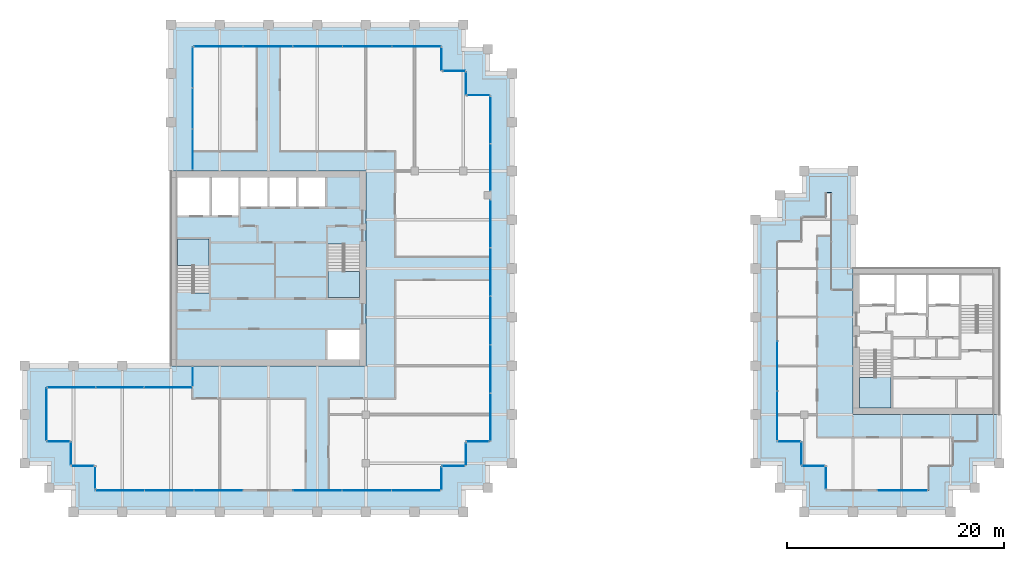
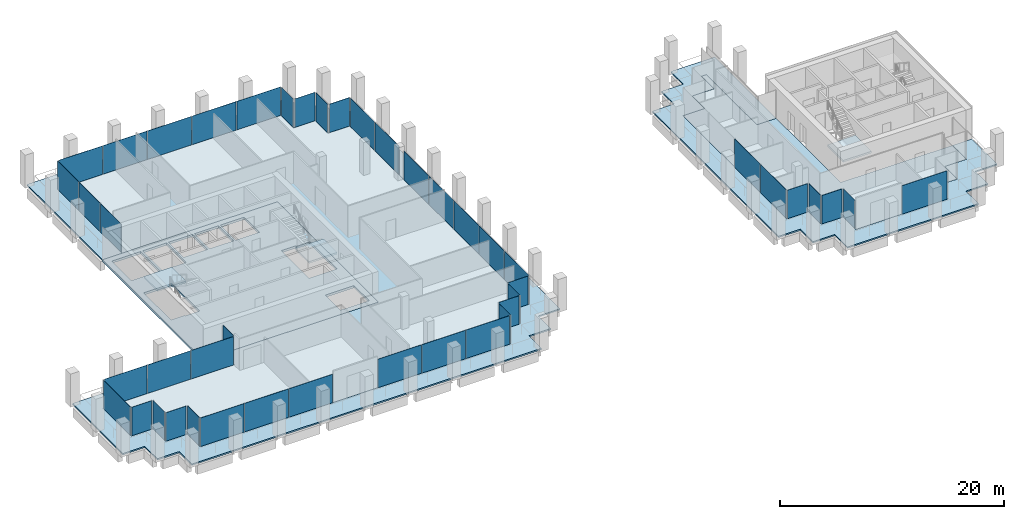
# One storey, part 34 of 40: 45 plates, 8 slabs, 30 elements without a shape of their own.
"""IFC4 building model written with IfcOpenShell, lengths in metres."""

from ifc_helpers import new_model, si_unit, direction, frame, origin, origin_2d, place, context, subcontext, project, spatial, polyline, rectangle, outline, extrude, material, layer, layer_set, type_object, element, aggregate, save


model = new_model("IFC4")

# Units and contexts
model_context = context("Model", 3, precision=1e-05, world=origin(), true_north=direction((0.0, 1.0)))
body_context = subcontext(model_context, "Body", "Model", "MODEL_VIEW")
ifc_project = project(units=[si_unit("LENGTHUNIT", "METRE"), si_unit("AREAUNIT", "SQUARE_METRE"), si_unit("VOLUMEUNIT", "CUBIC_METRE"), si_unit("PLANEANGLEUNIT", "RADIAN"), si_unit("MASSUNIT", "GRAM", prefix="KILO")], contexts=[model_context])

# Site, building, storey
site_placement = place(None, origin())
site = spatial("IfcSite", under=ifc_project, at=site_placement, CompositionType="ELEMENT")
building_placement = place(site_placement, origin())
building = spatial("IfcBuilding", under=site, at=building_placement, Name="Altepetl Exchange Towers", CompositionType="ELEMENT")
storey_placement = place(building_placement, frame((0.0, 0.0, 183.39990234375)))
storey = spatial("IfcBuildingStorey", under=building, at=storey_placement, Name="L46", CompositionType="ELEMENT", Elevation=183.39990234375)

# Slabs
ifc_material_1 = material(Name="Concrete C40/50", Category="concrete")
ifc_layer_1 = layer(ifc_material_1, 0.14990234375)
ifc_layer_set_1 = layer_set([ifc_layer_1], Name="Concrete C40/50")
slab_type_1 = type_object("IfcSlabType", Name="Composite floor slab 150", PredefinedType="FLOOR", material=ifc_layer_set_1)
slab_1_placement = place(storey_placement, frame((0.0, 0.0, -0.14990234375)))
element("IfcSlab", 1, at=slab_1_placement, inside=storey, type_object=slab_type_1, Name="slab:A:L46:strip0", PredefinedType="FLOOR", context=body_context, shape_type="SweptSolid", body=[
    extrude(outline(polyline([(42.5, 70.0), (42.5, 58.5), (58.5, 58.5), (58.5, 40.5), (42.5, 40.5), (42.5, 38.5), (29.0, 38.5), (29.0, 33.5), (31.25, 33.5), (31.25, 31.25), (33.5, 31.25), (33.5, 29.0), (65.5, 29.0), (65.5, 31.25), (67.75, 31.25), (67.75, 33.5), (70.0, 33.5), (70.0, 65.5), (67.75, 65.5), (67.75, 67.75), (65.5, 67.75), (65.5, 70.0), (42.5, 70.0)])), origin(), (0.0, 0.0, 1.0), 0.14990234375),
])
slab_2_placement = place(storey_placement, frame((0.0, 0.0, -0.14990234375)))
element("IfcSlab", 2, at=slab_2_placement, inside=storey, type_object=slab_type_1, Name="slab:B:L46:strip0", PredefinedType="FLOOR", context=body_context, shape_type="SweptSolid", body=[
    extrude(outline(polyline([(98.75, 31.25), (101.0, 31.25), (101.0, 29.0), (110.5, 29.0), (110.5, 31.25), (112.75, 31.25), (112.75, 33.5), (115.0, 33.5), (115.0, 36.0), (103.5, 36.0), (103.5, 47.5), (101.5, 47.5), (101.5, 56.5), (101.0, 56.5), (101.0, 54.25), (98.75, 54.25), (98.75, 52.0), (96.5, 52.0), (96.5, 33.5), (98.75, 33.5), (98.75, 31.25)])), origin(), (0.0, 0.0, 1.0), 0.14990234375),
])
ifc_layer_2 = layer(ifc_material_1, 0.25)
ifc_layer_set_2 = layer_set([ifc_layer_2], Name="Concrete C40/50")
slab_type_2 = type_object("IfcSlabType", Name="Core floor slab 250", PredefinedType="FLOOR", material=ifc_layer_set_2)
slab_3_placement = place(storey_placement, frame((0.0, 0.0, -0.25)))
element("IfcSlab", 3, at=slab_3_placement, inside=storey, type_object=slab_type_2, Name="slab:A:L46:core0", PredefinedType="FLOOR", context=body_context, shape_type="SweptSolid", body=[
    extrude(outline(polyline([(40.5, 40.5), (58.5, 40.5), (58.5, 58.5), (40.5, 58.5), (40.5, 40.5)]), holes=[polyline([(54.93310546875, 43.800048828125), (57.89990234375, 43.800048828125), (57.89990234375, 41.10009765625), (54.93310546875, 41.10009765625), (54.93310546875, 43.800048828125)]), polyline([(55.0, 51.7490234375), (56.5, 51.7490234375), (56.5, 51.64990234375), (57.89990234375, 51.64990234375), (57.89990234375, 46.800048828125), (55.0, 46.800048828125), (55.0, 51.7490234375)]), polyline([(44.0, 47.2509765625), (42.5, 47.2509765625), (42.5, 47.35009765625), (41.10009765625, 47.35009765625), (41.10009765625, 52.199951171875), (44.0, 52.199951171875), (44.0, 47.2509765625)]), polyline([(41.10009765625, 57.89990234375), (44.06689453125, 57.89990234375), (44.06689453125, 54.39990234375), (41.10009765625, 54.39990234375), (41.10009765625, 57.89990234375)]), polyline([(44.26708984375, 57.89990234375), (46.73291015625, 57.89990234375), (46.73291015625, 54.39990234375), (44.26708984375, 54.39990234375), (44.26708984375, 57.89990234375)]), polyline([(46.93310546875, 57.89990234375), (49.39990234375, 57.89990234375), (49.39990234375, 55.199951171875), (46.93310546875, 55.199951171875), (46.93310546875, 57.89990234375)]), polyline([(49.60009765625, 57.89990234375), (52.06689453125, 57.89990234375), (52.06689453125, 55.199951171875), (49.60009765625, 55.199951171875), (49.60009765625, 57.89990234375)]), polyline([(52.26708984375, 57.89990234375), (54.73291015625, 57.89990234375), (54.73291015625, 55.199951171875), (52.26708984375, 55.199951171875), (52.26708984375, 57.89990234375)])]), origin(), (0.0, 0.0, 1.0), 0.25),
])

# Curtain wall, plate
ifc_material_2 = material(Name="Aluminium 6063-T6 glazing", Category="aluminium")
curtain_wall_type = type_object("IfcCurtainWallType", Name="Loggia glazing system", PredefinedType="NOTDEFINED", material=ifc_material_2)
curtain_wall_1_placement = place(storey_placement, origin())
curtain_wall_1 = element("IfcCurtainWall", 4, at=curtain_wall_1_placement, inside=storey, type_object=curtain_wall_type, Name="CW1 run", PredefinedType="NOTDEFINED")
ifc_material_3 = material(Name="Glass 6-16-6 low emissivity", Category="glass")
ifc_layer_3 = layer(ifc_material_3, 0.028076171875)
ifc_layer_set_3 = layer_set([ifc_layer_3], Name="Glass 6-16-6 low emissivity")
plate_type = type_object("IfcPlateType", Name="Glass panel 28 double glazed", PredefinedType="CURTAIN_PANEL", material=ifc_layer_set_3)
plate_1_placement = place(storey_placement, frame((42.5, 39.53759765625, 0.0), z_axis=(0.0, 0.0, 1.0), x_axis=(0.0, -1.0, 0.0)))
plate_1 = element("IfcPlate", 5, at=plate_1_placement, type_object=plate_type, Name="GP1 panel", PredefinedType="CURTAIN_PANEL", context=body_context, shape_type="SweptSolid", body=[
    extrude(rectangle(XDim=1.804931640625, YDim=0.028076171875, at=origin_2d()), origin(), (0.0, 0.0, 1.0), 3.10009765625),
])
aggregate(curtain_wall_1, [plate_1])

# Curtain wall, plates
curtain_wall_2_placement = place(storey_placement, origin())
curtain_wall_2 = element("IfcCurtainWall", 6, at=curtain_wall_2_placement, inside=storey, type_object=curtain_wall_type, Name="CW1 run", PredefinedType="NOTDEFINED")
plate_2_placement = place(storey_placement, frame((40.24755859375, 38.5, 0.0), z_axis=(0.0, 0.0, 1.0), x_axis=(-1.0, 0.0, 0.0)))
plate_2 = element("IfcPlate", 7, at=plate_2_placement, type_object=plate_type, Name="GP1 panel", PredefinedType="CURTAIN_PANEL", context=body_context, shape_type="SweptSolid", body=[
    extrude(rectangle(XDim=4.385009765625, YDim=0.028076171875, at=origin_2d()), origin(), (0.0, 0.0, 1.0), 3.10009765625),
])
plate_3_placement = place(storey_placement, frame((35.78759765625, 38.5, 0.0), z_axis=(0.0, 0.0, 1.0), x_axis=(-1.0, 0.0, 0.0)))
plate_3 = element("IfcPlate", 8, at=plate_3_placement, type_object=plate_type, Name="GP1 panel", PredefinedType="CURTAIN_PANEL", context=body_context, shape_type="SweptSolid", body=[
    extrude(rectangle(XDim=4.4150390625, YDim=0.028076171875, at=origin_2d()), origin(), (0.0, 0.0, 1.0), 3.10009765625),
])
plate_4_placement = place(storey_placement, frame((31.327392578125, 38.5, 0.0), z_axis=(0.0, 0.0, 1.0), x_axis=(-1.0, 0.0, 0.0)))
plate_4 = element("IfcPlate", 9, at=plate_4_placement, type_object=plate_type, Name="GP1 panel", PredefinedType="CURTAIN_PANEL", context=body_context, shape_type="SweptSolid", body=[
    extrude(rectangle(XDim=4.385009765625, YDim=0.028076171875, at=origin_2d()), origin(), (0.0, 0.0, 1.0), 3.10009765625),
])
aggregate(curtain_wall_2, [plate_2, plate_3, plate_4])

# Curtain wall, plate
curtain_wall_3_placement = place(storey_placement, origin())
curtain_wall_3 = element("IfcCurtainWall", 10, at=curtain_wall_3_placement, inside=storey, type_object=curtain_wall_type, Name="CW1 run", PredefinedType="NOTDEFINED")
plate_5_placement = place(storey_placement, frame((29.0, 36.03759765625, 0.0), z_axis=(0.0, 0.0, 1.0), x_axis=(0.0, -1.0, 0.0)))
plate_5 = element("IfcPlate", 11, at=plate_5_placement, type_object=plate_type, Name="GP1 panel", PredefinedType="CURTAIN_PANEL", context=body_context, shape_type="SweptSolid", body=[
    extrude(rectangle(XDim=4.804931640625, YDim=0.028076171875, at=origin_2d()), origin(), (0.0, 0.0, 1.0), 3.10009765625),
])
aggregate(curtain_wall_3, [plate_5])

curtain_wall_4_placement = place(storey_placement, origin())
curtain_wall_4 = element("IfcCurtainWall", 12, at=curtain_wall_4_placement, inside=storey, type_object=curtain_wall_type, Name="CW1 run", PredefinedType="NOTDEFINED")
plate_6_placement = place(storey_placement, frame((30.08740234375, 33.5, 0.0)))
plate_6 = element("IfcPlate", 13, at=plate_6_placement, type_object=plate_type, Name="GP1 panel", PredefinedType="CURTAIN_PANEL", context=body_context, shape_type="SweptSolid", body=[
    extrude(rectangle(XDim=2.054931640625, YDim=0.028076171875, at=origin_2d()), origin(), (0.0, 0.0, 1.0), 3.10009765625),
])
aggregate(curtain_wall_4, [plate_6])

curtain_wall_5_placement = place(storey_placement, origin())
curtain_wall_5 = element("IfcCurtainWall", 14, at=curtain_wall_5_placement, inside=storey, type_object=curtain_wall_type, Name="CW1 run", PredefinedType="NOTDEFINED")
plate_7_placement = place(storey_placement, frame((31.25, 32.41259765625, 0.0), z_axis=(0.0, 0.0, 1.0), x_axis=(0.0, -1.0, 0.0)))
plate_7 = element("IfcPlate", 15, at=plate_7_placement, type_object=plate_type, Name="GP1 panel", PredefinedType="CURTAIN_PANEL", context=body_context, shape_type="SweptSolid", body=[
    extrude(rectangle(XDim=2.054931640625, YDim=0.028076171875, at=origin_2d()), origin(), (0.0, 0.0, 1.0), 3.10009765625),
])
aggregate(curtain_wall_5, [plate_7])

curtain_wall_6_placement = place(storey_placement, origin())
curtain_wall_6 = element("IfcCurtainWall", 16, at=curtain_wall_6_placement, inside=storey, type_object=curtain_wall_type, Name="CW1 run", PredefinedType="NOTDEFINED")
plate_8_placement = place(storey_placement, frame((32.33740234375, 31.25, 0.0)))
plate_8 = element("IfcPlate", 17, at=plate_8_placement, type_object=plate_type, Name="GP1 panel", PredefinedType="CURTAIN_PANEL", context=body_context, shape_type="SweptSolid", body=[
    extrude(rectangle(XDim=2.054931640625, YDim=0.028076171875, at=origin_2d()), origin(), (0.0, 0.0, 1.0), 3.10009765625),
])
aggregate(curtain_wall_6, [plate_8])

curtain_wall_7_placement = place(storey_placement, origin())
curtain_wall_7 = element("IfcCurtainWall", 18, at=curtain_wall_7_placement, inside=storey, type_object=curtain_wall_type, Name="CW1 run", PredefinedType="NOTDEFINED")
plate_9_placement = place(storey_placement, frame((33.5, 30.16259765625, 0.0), z_axis=(0.0, 0.0, 1.0), x_axis=(0.0, -1.0, 0.0)))
plate_9 = element("IfcPlate", 19, at=plate_9_placement, type_object=plate_type, Name="GP1 panel", PredefinedType="CURTAIN_PANEL", context=body_context, shape_type="SweptSolid", body=[
    extrude(rectangle(XDim=2.054931640625, YDim=0.028076171875, at=origin_2d()), origin(), (0.0, 0.0, 1.0), 3.10009765625),
])
aggregate(curtain_wall_7, [plate_9])

# Curtain wall, plates
curtain_wall_8_placement = place(storey_placement, origin())
curtain_wall_8 = element("IfcCurtainWall", 20, at=curtain_wall_8_placement, inside=storey, type_object=curtain_wall_type, Name="CW1 run", PredefinedType="NOTDEFINED")
plate_10_placement = place(storey_placement, frame((35.79541015625, 29.0, 0.0)))
plate_10 = element("IfcPlate", 21, at=plate_10_placement, type_object=plate_type, Name="GP1 panel", PredefinedType="CURTAIN_PANEL", context=body_context, shape_type="SweptSolid", body=[
    extrude(rectangle(XDim=4.470703125, YDim=0.028076171875, at=origin_2d()), origin(), (0.0, 0.0, 1.0), 3.10009765625),
])
plate_11_placement = place(storey_placement, frame((40.341064453125, 29.0, 0.0)))
plate_11 = element("IfcPlate", 22, at=plate_11_placement, type_object=plate_type, Name="GP1 panel", PredefinedType="CURTAIN_PANEL", context=body_context, shape_type="SweptSolid", body=[
    extrude(rectangle(XDim=4.500732421875, YDim=0.028076171875, at=origin_2d()), origin(), (0.0, 0.0, 1.0), 3.10009765625),
])
plate_12_placement = place(storey_placement, frame((44.88671875, 29.0, 0.0)))
plate_12 = element("IfcPlate", 23, at=plate_12_placement, type_object=plate_type, Name="GP1 panel", PredefinedType="CURTAIN_PANEL", context=body_context, shape_type="SweptSolid", body=[
    extrude(rectangle(XDim=4.470703125, YDim=0.028076171875, at=origin_2d()), origin(), (0.0, 0.0, 1.0), 3.10009765625),
])
aggregate(curtain_wall_8, [plate_10, plate_11, plate_12])

curtain_wall_9_placement = place(storey_placement, origin())
curtain_wall_9 = element("IfcCurtainWall", 24, at=curtain_wall_9_placement, inside=storey, type_object=curtain_wall_type, Name="CW1 run", PredefinedType="NOTDEFINED")
plate_13_placement = place(storey_placement, frame((54.038330078125, 29.0, 0.0)))
plate_13 = element("IfcPlate", 25, at=plate_13_placement, type_object=plate_type, Name="GP1 panel", PredefinedType="CURTAIN_PANEL", context=body_context, shape_type="SweptSolid", body=[
    extrude(rectangle(XDim=4.470703125, YDim=0.028076171875, at=origin_2d()), origin(), (0.0, 0.0, 1.0), 3.10009765625),
])
plate_14_placement = place(storey_placement, frame((58.583984375, 29.0, 0.0)))
plate_14 = element("IfcPlate", 26, at=plate_14_placement, type_object=plate_type, Name="GP1 panel", PredefinedType="CURTAIN_PANEL", context=body_context, shape_type="SweptSolid", body=[
    extrude(rectangle(XDim=4.500732421875, YDim=0.028076171875, at=origin_2d()), origin(), (0.0, 0.0, 1.0), 3.10009765625),
])
plate_15_placement = place(storey_placement, frame((63.129638671875, 29.0, 0.0)))
plate_15 = element("IfcPlate", 27, at=plate_15_placement, type_object=plate_type, Name="GP1 panel", PredefinedType="CURTAIN_PANEL", context=body_context, shape_type="SweptSolid", body=[
    extrude(rectangle(XDim=4.470703125, YDim=0.028076171875, at=origin_2d()), origin(), (0.0, 0.0, 1.0), 3.10009765625),
])
aggregate(curtain_wall_9, [plate_13, plate_14, plate_15])

# Curtain wall, plate
curtain_wall_10_placement = place(storey_placement, origin())
curtain_wall_10 = element("IfcCurtainWall", 28, at=curtain_wall_10_placement, inside=storey, type_object=curtain_wall_type, Name="CW1 run", PredefinedType="NOTDEFINED")
plate_16_placement = place(storey_placement, frame((65.5, 30.08740234375, 0.0), z_axis=(0.0, 0.0, 1.0), x_axis=(0.0, 1.0, 0.0)))
plate_16 = element("IfcPlate", 29, at=plate_16_placement, type_object=plate_type, Name="GP1 panel", PredefinedType="CURTAIN_PANEL", context=body_context, shape_type="SweptSolid", body=[
    extrude(rectangle(XDim=2.054931640625, YDim=0.028076171875, at=origin_2d()), origin(), (0.0, 0.0, 1.0), 3.10009765625),
])
aggregate(curtain_wall_10, [plate_16])

curtain_wall_11_placement = place(storey_placement, origin())
curtain_wall_11 = element("IfcCurtainWall", 30, at=curtain_wall_11_placement, inside=storey, type_object=curtain_wall_type, Name="CW1 run", PredefinedType="NOTDEFINED")
plate_17_placement = place(storey_placement, frame((66.58740234375, 31.25, 0.0)))
plate_17 = element("IfcPlate", 31, at=plate_17_placement, type_object=plate_type, Name="GP1 panel", PredefinedType="CURTAIN_PANEL", context=body_context, shape_type="SweptSolid", body=[
    extrude(rectangle(XDim=2.054931640625, YDim=0.028076171875, at=origin_2d()), origin(), (0.0, 0.0, 1.0), 3.10009765625),
])
aggregate(curtain_wall_11, [plate_17])

curtain_wall_12_placement = place(storey_placement, origin())
curtain_wall_12 = element("IfcCurtainWall", 32, at=curtain_wall_12_placement, inside=storey, type_object=curtain_wall_type, Name="CW1 run", PredefinedType="NOTDEFINED")
plate_18_placement = place(storey_placement, frame((67.75, 32.33740234375, 0.0), z_axis=(0.0, 0.0, 1.0), x_axis=(0.0, 1.0, 0.0)))
plate_18 = element("IfcPlate", 33, at=plate_18_placement, type_object=plate_type, Name="GP1 panel", PredefinedType="CURTAIN_PANEL", context=body_context, shape_type="SweptSolid", body=[
    extrude(rectangle(XDim=2.054931640625, YDim=0.028076171875, at=origin_2d()), origin(), (0.0, 0.0, 1.0), 3.10009765625),
])
aggregate(curtain_wall_12, [plate_18])

curtain_wall_13_placement = place(storey_placement, origin())
curtain_wall_13 = element("IfcCurtainWall", 34, at=curtain_wall_13_placement, inside=storey, type_object=curtain_wall_type, Name="CW1 run", PredefinedType="NOTDEFINED")
plate_19_placement = place(storey_placement, frame((68.83740234375, 33.5, 0.0)))
plate_19 = element("IfcPlate", 35, at=plate_19_placement, type_object=plate_type, Name="GP1 panel", PredefinedType="CURTAIN_PANEL", context=body_context, shape_type="SweptSolid", body=[
    extrude(rectangle(XDim=2.054931640625, YDim=0.028076171875, at=origin_2d()), origin(), (0.0, 0.0, 1.0), 3.10009765625),
])
aggregate(curtain_wall_13, [plate_19])

# Curtain wall, plates
curtain_wall_14_placement = place(storey_placement, origin())
curtain_wall_14 = element("IfcCurtainWall", 36, at=curtain_wall_14_placement, inside=storey, type_object=curtain_wall_type, Name="CW1 run", PredefinedType="NOTDEFINED")
plate_20_placement = place(storey_placement, frame((70.0, 35.7529296875, 0.0), z_axis=(0.0, 0.0, 1.0), x_axis=(0.0, 1.0, 0.0)))
plate_20 = element("IfcPlate", 37, at=plate_20_placement, type_object=plate_type, Name="GP1 panel", PredefinedType="CURTAIN_PANEL", context=body_context, shape_type="SweptSolid", body=[
    extrude(rectangle(XDim=4.385986328125, YDim=0.028076171875, at=origin_2d()), origin(), (0.0, 0.0, 1.0), 3.10009765625),
])
plate_21_placement = place(storey_placement, frame((70.0, 40.214111328125, 0.0), z_axis=(0.0, 0.0, 1.0), x_axis=(0.0, 1.0, 0.0)))
plate_21 = element("IfcPlate", 38, at=plate_21_placement, type_object=plate_type, Name="GP1 panel", PredefinedType="CURTAIN_PANEL", context=body_context, shape_type="SweptSolid", body=[
    extrude(rectangle(XDim=4.416015625, YDim=0.028076171875, at=origin_2d()), origin(), (0.0, 0.0, 1.0), 3.10009765625),
])
plate_22_placement = place(storey_placement, frame((70.0, 44.68994140625, 0.0), z_axis=(0.0, 0.0, 1.0), x_axis=(0.0, 1.0, 0.0)))
plate_22 = element("IfcPlate", 39, at=plate_22_placement, type_object=plate_type, Name="GP1 panel", PredefinedType="CURTAIN_PANEL", context=body_context, shape_type="SweptSolid", body=[
    extrude(rectangle(XDim=4.416015625, YDim=0.028076171875, at=origin_2d()), origin(), (0.0, 0.0, 1.0), 3.10009765625),
])
plate_23_placement = place(storey_placement, frame((70.0, 49.166015625, 0.0), z_axis=(0.0, 0.0, 1.0), x_axis=(0.0, 1.0, 0.0)))
plate_23 = element("IfcPlate", 40, at=plate_23_placement, type_object=plate_type, Name="GP1 panel", PredefinedType="CURTAIN_PANEL", context=body_context, shape_type="SweptSolid", body=[
    extrude(rectangle(XDim=4.416015625, YDim=0.028076171875, at=origin_2d()), origin(), (0.0, 0.0, 1.0), 3.10009765625),
])
plate_24_placement = place(storey_placement, frame((70.0, 53.626953125, 0.0), z_axis=(0.0, 0.0, 1.0), x_axis=(0.0, 1.0, 0.0)))
plate_24 = element("IfcPlate", 41, at=plate_24_placement, type_object=plate_type, Name="GP1 panel", PredefinedType="CURTAIN_PANEL", context=body_context, shape_type="SweptSolid", body=[
    extrude(rectangle(XDim=4.385986328125, YDim=0.028076171875, at=origin_2d()), origin(), (0.0, 0.0, 1.0), 3.10009765625),
])
aggregate(curtain_wall_14, [plate_20, plate_21, plate_22, plate_23, plate_24])

curtain_wall_15_placement = place(storey_placement, origin())
curtain_wall_15 = element("IfcCurtainWall", 42, at=curtain_wall_15_placement, inside=storey, type_object=curtain_wall_type, Name="CW1 run", PredefinedType="NOTDEFINED")
plate_25_placement = place(storey_placement, frame((70.0, 58.836181640625, 0.0), z_axis=(0.0, 0.0, 1.0), x_axis=(0.0, 1.0, 0.0)))
plate_25 = element("IfcPlate", 43, at=plate_25_placement, type_object=plate_type, Name="GP1 panel", PredefinedType="CURTAIN_PANEL", context=body_context, shape_type="SweptSolid", body=[
    extrude(rectangle(XDim=4.3125, YDim=0.028076171875, at=origin_2d()), origin(), (0.0, 0.0, 1.0), 3.10009765625),
])
plate_26_placement = place(storey_placement, frame((70.0, 63.208740234375, 0.0), z_axis=(0.0, 0.0, 1.0), x_axis=(0.0, 1.0, 0.0)))
plate_26 = element("IfcPlate", 44, at=plate_26_placement, type_object=plate_type, Name="GP1 panel", PredefinedType="CURTAIN_PANEL", context=body_context, shape_type="SweptSolid", body=[
    extrude(rectangle(XDim=4.3125, YDim=0.028076171875, at=origin_2d()), origin(), (0.0, 0.0, 1.0), 3.10009765625),
])
aggregate(curtain_wall_15, [plate_25, plate_26])

# Curtain wall, plate
curtain_wall_16_placement = place(storey_placement, origin())
curtain_wall_16 = element("IfcCurtainWall", 45, at=curtain_wall_16_placement, inside=storey, type_object=curtain_wall_type, Name="CW1 run", PredefinedType="NOTDEFINED")
plate_27_placement = place(storey_placement, frame((68.91259765625, 65.5, 0.0), z_axis=(0.0, 0.0, 1.0), x_axis=(-1.0, 0.0, 0.0)))
plate_27 = element("IfcPlate", 46, at=plate_27_placement, type_object=plate_type, Name="GP1 panel", PredefinedType="CURTAIN_PANEL", context=body_context, shape_type="SweptSolid", body=[
    extrude(rectangle(XDim=2.054931640625, YDim=0.028076171875, at=origin_2d()), origin(), (0.0, 0.0, 1.0), 3.10009765625),
])
aggregate(curtain_wall_16, [plate_27])

curtain_wall_17_placement = place(storey_placement, origin())
curtain_wall_17 = element("IfcCurtainWall", 47, at=curtain_wall_17_placement, inside=storey, type_object=curtain_wall_type, Name="CW1 run", PredefinedType="NOTDEFINED")
plate_28_placement = place(storey_placement, frame((67.75, 66.58740234375, 0.0), z_axis=(0.0, 0.0, 1.0), x_axis=(0.0, 1.0, 0.0)))
plate_28 = element("IfcPlate", 48, at=plate_28_placement, type_object=plate_type, Name="GP1 panel", PredefinedType="CURTAIN_PANEL", context=body_context, shape_type="SweptSolid", body=[
    extrude(rectangle(XDim=2.054931640625, YDim=0.028076171875, at=origin_2d()), origin(), (0.0, 0.0, 1.0), 3.10009765625),
])
aggregate(curtain_wall_17, [plate_28])

curtain_wall_18_placement = place(storey_placement, origin())
curtain_wall_18 = element("IfcCurtainWall", 49, at=curtain_wall_18_placement, inside=storey, type_object=curtain_wall_type, Name="CW1 run", PredefinedType="NOTDEFINED")
plate_29_placement = place(storey_placement, frame((66.66259765625, 67.75, 0.0), z_axis=(0.0, 0.0, 1.0), x_axis=(-1.0, 0.0, 0.0)))
plate_29 = element("IfcPlate", 50, at=plate_29_placement, type_object=plate_type, Name="GP1 panel", PredefinedType="CURTAIN_PANEL", context=body_context, shape_type="SweptSolid", body=[
    extrude(rectangle(XDim=2.054931640625, YDim=0.028076171875, at=origin_2d()), origin(), (0.0, 0.0, 1.0), 3.10009765625),
])
aggregate(curtain_wall_18, [plate_29])

curtain_wall_19_placement = place(storey_placement, origin())
curtain_wall_19 = element("IfcCurtainWall", 51, at=curtain_wall_19_placement, inside=storey, type_object=curtain_wall_type, Name="CW1 run", PredefinedType="NOTDEFINED")
plate_30_placement = place(storey_placement, frame((65.5, 68.83740234375, 0.0), z_axis=(0.0, 0.0, 1.0), x_axis=(0.0, 1.0, 0.0)))
plate_30 = element("IfcPlate", 52, at=plate_30_placement, type_object=plate_type, Name="GP1 panel", PredefinedType="CURTAIN_PANEL", context=body_context, shape_type="SweptSolid", body=[
    extrude(rectangle(XDim=2.054931640625, YDim=0.028076171875, at=origin_2d()), origin(), (0.0, 0.0, 1.0), 3.10009765625),
])
aggregate(curtain_wall_19, [plate_30])

# Curtain wall, plates
curtain_wall_20_placement = place(storey_placement, origin())
curtain_wall_20 = element("IfcCurtainWall", 53, at=curtain_wall_20_placement, inside=storey, type_object=curtain_wall_type, Name="CW1 run", PredefinedType="NOTDEFINED")
plate_31_placement = place(storey_placement, frame((63.1923828125, 70.0, 0.0), z_axis=(0.0, 0.0, 1.0), x_axis=(-1.0, 0.0, 0.0)))
plate_31 = element("IfcPlate", 54, at=plate_31_placement, type_object=plate_type, Name="GP1 panel", PredefinedType="CURTAIN_PANEL", context=body_context, shape_type="SweptSolid", body=[
    extrude(rectangle(XDim=4.4951171875, YDim=0.028076171875, at=origin_2d()), origin(), (0.0, 0.0, 1.0), 3.10009765625),
])
plate_32_placement = place(storey_placement, frame((58.62255859375, 70.0, 0.0), z_axis=(0.0, 0.0, 1.0), x_axis=(-1.0, 0.0, 0.0)))
plate_32 = element("IfcPlate", 55, at=plate_32_placement, type_object=plate_type, Name="GP1 panel", PredefinedType="CURTAIN_PANEL", context=body_context, shape_type="SweptSolid", body=[
    extrude(rectangle(XDim=4.52490234375, YDim=0.028076171875, at=origin_2d()), origin(), (0.0, 0.0, 1.0), 3.10009765625),
])
plate_33_placement = place(storey_placement, frame((54.03759765625, 70.0, 0.0), z_axis=(0.0, 0.0, 1.0), x_axis=(-1.0, 0.0, 0.0)))
plate_33 = element("IfcPlate", 56, at=plate_33_placement, type_object=plate_type, Name="GP1 panel", PredefinedType="CURTAIN_PANEL", context=body_context, shape_type="SweptSolid", body=[
    extrude(rectangle(XDim=4.52490234375, YDim=0.028076171875, at=origin_2d()), origin(), (0.0, 0.0, 1.0), 3.10009765625),
])
plate_34_placement = place(storey_placement, frame((49.452392578125, 70.0, 0.0), z_axis=(0.0, 0.0, 1.0), x_axis=(-1.0, 0.0, 0.0)))
plate_34 = element("IfcPlate", 57, at=plate_34_placement, type_object=plate_type, Name="GP1 panel", PredefinedType="CURTAIN_PANEL", context=body_context, shape_type="SweptSolid", body=[
    extrude(rectangle(XDim=4.52490234375, YDim=0.028076171875, at=origin_2d()), origin(), (0.0, 0.0, 1.0), 3.10009765625),
])
plate_35_placement = place(storey_placement, frame((44.882568359375, 70.0, 0.0), z_axis=(0.0, 0.0, 1.0), x_axis=(-1.0, 0.0, 0.0)))
plate_35 = element("IfcPlate", 58, at=plate_35_placement, type_object=plate_type, Name="GP1 panel", PredefinedType="CURTAIN_PANEL", context=body_context, shape_type="SweptSolid", body=[
    extrude(rectangle(XDim=4.4951171875, YDim=0.028076171875, at=origin_2d()), origin(), (0.0, 0.0, 1.0), 3.10009765625),
])
aggregate(curtain_wall_20, [plate_31, plate_32, plate_33, plate_34, plate_35])

curtain_wall_21_placement = place(storey_placement, origin())
curtain_wall_21 = element("IfcCurtainWall", 59, at=curtain_wall_21_placement, inside=storey, type_object=curtain_wall_type, Name="CW1 run", PredefinedType="NOTDEFINED")
plate_36_placement = place(storey_placement, frame((42.5, 68.080810546875, 0.0), z_axis=(0.0, 0.0, 1.0), x_axis=(0.0, -1.0, 0.0)))
plate_36 = element("IfcPlate", 60, at=plate_36_placement, type_object=plate_type, Name="GP1 panel", PredefinedType="CURTAIN_PANEL", context=body_context, shape_type="SweptSolid", body=[
    extrude(rectangle(XDim=3.71826171875, YDim=0.028076171875, at=origin_2d()), origin(), (0.0, 0.0, 1.0), 3.10009765625),
])
plate_37_placement = place(storey_placement, frame((42.5, 64.28759765625, 0.0), z_axis=(0.0, 0.0, 1.0), x_axis=(0.0, -1.0, 0.0)))
plate_37 = element("IfcPlate", 61, at=plate_37_placement, type_object=plate_type, Name="GP1 panel", PredefinedType="CURTAIN_PANEL", context=body_context, shape_type="SweptSolid", body=[
    extrude(rectangle(XDim=3.748291015625, YDim=0.028076171875, at=origin_2d()), origin(), (0.0, 0.0, 1.0), 3.10009765625),
])
plate_38_placement = place(storey_placement, frame((42.5, 60.494140625, 0.0), z_axis=(0.0, 0.0, 1.0), x_axis=(0.0, -1.0, 0.0)))
plate_38 = element("IfcPlate", 62, at=plate_38_placement, type_object=plate_type, Name="GP1 panel", PredefinedType="CURTAIN_PANEL", context=body_context, shape_type="SweptSolid", body=[
    extrude(rectangle(XDim=3.71826171875, YDim=0.028076171875, at=origin_2d()), origin(), (0.0, 0.0, 1.0), 3.10009765625),
])
aggregate(curtain_wall_21, [plate_36, plate_37, plate_38])

# Curtain wall, plate
curtain_wall_22_placement = place(storey_placement, origin())
curtain_wall_22 = element("IfcCurtainWall", 63, at=curtain_wall_22_placement, inside=storey, type_object=curtain_wall_type, Name="CW1 run", PredefinedType="NOTDEFINED")
plate_39_placement = place(storey_placement, frame((101.0, 30.16259765625, 0.0), z_axis=(0.0, 0.0, 1.0), x_axis=(0.0, -1.0, 0.0)))
plate_39 = element("IfcPlate", 64, at=plate_39_placement, type_object=plate_type, Name="GP1 panel", PredefinedType="CURTAIN_PANEL", context=body_context, shape_type="SweptSolid", body=[
    extrude(rectangle(XDim=2.054931640625, YDim=0.028076171875, at=origin_2d()), origin(), (0.0, 0.0, 1.0), 3.10009765625),
])
aggregate(curtain_wall_22, [plate_39])

curtain_wall_23_placement = place(storey_placement, origin())
curtain_wall_23 = element("IfcCurtainWall", 65, at=curtain_wall_23_placement, inside=storey, type_object=curtain_wall_type, Name="CW1 run", PredefinedType="NOTDEFINED")
plate_40_placement = place(storey_placement, frame((108.06884765625, 29.0, 0.0)))
plate_40 = element("IfcPlate", 66, at=plate_40_placement, type_object=plate_type, Name="GP1 panel", PredefinedType="CURTAIN_PANEL", context=body_context, shape_type="SweptSolid", body=[
    extrude(rectangle(XDim=4.592529296875, YDim=0.028076171875, at=origin_2d()), origin(), (0.0, 0.0, 1.0), 3.10009765625),
])
aggregate(curtain_wall_23, [plate_40])

# Curtain wall, plates
curtain_wall_24_placement = place(storey_placement, origin())
curtain_wall_24 = element("IfcCurtainWall", 67, at=curtain_wall_24_placement, inside=storey, type_object=curtain_wall_type, Name="CW1 run", PredefinedType="NOTDEFINED")
plate_41_placement = place(storey_placement, frame((96.5, 40.484375, 0.0), z_axis=(0.0, 0.0, 1.0), x_axis=(0.0, -1.0, 0.0)))
plate_41 = element("IfcPlate", 68, at=plate_41_placement, type_object=plate_type, Name="GP1 panel", PredefinedType="CURTAIN_PANEL", context=body_context, shape_type="SweptSolid", body=[
    extrude(rectangle(XDim=4.546142578125, YDim=0.028076171875, at=origin_2d()), origin(), (0.0, 0.0, 1.0), 3.10009765625),
])
plate_42_placement = place(storey_placement, frame((96.5, 35.89306640625, 0.0), z_axis=(0.0, 0.0, 1.0), x_axis=(0.0, -1.0, 0.0)))
plate_42 = element("IfcPlate", 69, at=plate_42_placement, type_object=plate_type, Name="GP1 panel", PredefinedType="CURTAIN_PANEL", context=body_context, shape_type="SweptSolid", body=[
    extrude(rectangle(XDim=4.516357421875, YDim=0.028076171875, at=origin_2d()), origin(), (0.0, 0.0, 1.0), 3.10009765625),
])
aggregate(curtain_wall_24, [plate_41, plate_42])

# Curtain wall, plate
curtain_wall_25_placement = place(storey_placement, origin())
curtain_wall_25 = element("IfcCurtainWall", 70, at=curtain_wall_25_placement, inside=storey, type_object=curtain_wall_type, Name="CW1 run", PredefinedType="NOTDEFINED")
plate_43_placement = place(storey_placement, frame((97.58740234375, 33.5, 0.0)))
plate_43 = element("IfcPlate", 71, at=plate_43_placement, type_object=plate_type, Name="GP1 panel", PredefinedType="CURTAIN_PANEL", context=body_context, shape_type="SweptSolid", body=[
    extrude(rectangle(XDim=2.054931640625, YDim=0.028076171875, at=origin_2d()), origin(), (0.0, 0.0, 1.0), 3.10009765625),
])
aggregate(curtain_wall_25, [plate_43])

curtain_wall_26_placement = place(storey_placement, origin())
curtain_wall_26 = element("IfcCurtainWall", 72, at=curtain_wall_26_placement, inside=storey, type_object=curtain_wall_type, Name="CW1 run", PredefinedType="NOTDEFINED")
plate_44_placement = place(storey_placement, frame((98.75, 32.41259765625, 0.0), z_axis=(0.0, 0.0, 1.0), x_axis=(0.0, -1.0, 0.0)))
plate_44 = element("IfcPlate", 73, at=plate_44_placement, type_object=plate_type, Name="GP1 panel", PredefinedType="CURTAIN_PANEL", context=body_context, shape_type="SweptSolid", body=[
    extrude(rectangle(XDim=2.054931640625, YDim=0.028076171875, at=origin_2d()), origin(), (0.0, 0.0, 1.0), 3.10009765625),
])
aggregate(curtain_wall_26, [plate_44])

curtain_wall_27_placement = place(storey_placement, origin())
curtain_wall_27 = element("IfcCurtainWall", 74, at=curtain_wall_27_placement, inside=storey, type_object=curtain_wall_type, Name="CW1 run", PredefinedType="NOTDEFINED")
plate_45_placement = place(storey_placement, frame((99.83740234375, 31.25, 0.0)))
plate_45 = element("IfcPlate", 75, at=plate_45_placement, type_object=plate_type, Name="GP1 panel", PredefinedType="CURTAIN_PANEL", context=body_context, shape_type="SweptSolid", body=[
    extrude(rectangle(XDim=2.054931640625, YDim=0.028076171875, at=origin_2d()), origin(), (0.0, 0.0, 1.0), 3.10009765625),
])
aggregate(curtain_wall_27, [plate_45])

# Slabs
ifc_layer_4 = layer(ifc_material_1, 0.14990234375)
ifc_layer_set_4 = layer_set([ifc_layer_4], Name="Concrete C40/50")
slab_type_3 = type_object("IfcSlabType", Name="Loggia slab 150", PredefinedType="FLOOR", material=ifc_layer_set_4)
slab_4_placement = place(storey_placement, frame((0.0, 0.0, -0.14990234375)))
element("IfcSlab", 76, at=slab_4_placement, inside=storey, type_object=slab_type_3, Name="slab:A:L46:loggia0", PredefinedType="FLOOR", context=body_context, shape_type="SweptSolid", body=[
    extrude(outline(polyline([(40.5, 72.0), (40.5, 58.5), (42.5, 58.5), (42.5, 70.0), (65.5, 70.0), (65.5, 67.75), (67.75, 67.75), (67.75, 65.5), (70.0, 65.5), (70.0, 33.5), (67.75, 33.5), (67.75, 31.25), (65.5, 31.25), (65.5, 29.0), (33.5, 29.0), (33.5, 31.25), (31.25, 31.25), (31.25, 33.5), (29.0, 33.5), (29.0, 38.5), (42.5, 38.5), (42.5, 40.5), (40.5, 40.5), (27.0, 40.5), (27.0, 31.5), (29.25, 31.5), (29.25, 29.25), (31.5, 29.25), (31.5, 27.0), (58.5, 27.0), (67.5, 27.0), (67.5, 29.25), (69.75, 29.25), (69.75, 31.5), (72.0, 31.5), (72.0, 58.5), (72.0, 67.5), (69.75, 67.5), (69.75, 69.75), (67.5, 69.75), (67.5, 72.0), (40.5, 72.0)])), origin(), (0.0, 0.0, 1.0), 0.14990234375),
])
slab_5_placement = place(storey_placement, frame((0.0, 0.0, -0.14990234375)))
element("IfcSlab", 77, at=slab_5_placement, inside=storey, type_object=slab_type_3, Name="slab:B:L46:loggia0", PredefinedType="FLOOR", context=body_context, shape_type="SweptSolid", body=[
    extrude(outline(polyline([(99.0, 29.25), (99.0, 27.0), (112.5, 27.0), (112.5, 29.25), (114.75, 29.25), (114.75, 31.5), (117.0, 31.5), (117.0, 36.0), (115.0, 36.0), (115.0, 33.5), (112.75, 33.5), (112.75, 31.25), (110.5, 31.25), (110.5, 29.0), (101.0, 29.0), (101.0, 31.25), (98.75, 31.25), (98.75, 33.5), (96.5, 33.5), (96.5, 52.0), (98.75, 52.0), (98.75, 54.25), (101.0, 54.25), (101.0, 56.5), (101.5, 56.5), (101.5, 47.5), (103.5, 47.5), (103.5, 49.5), (103.5, 58.5), (99.0, 58.5), (99.0, 56.25), (96.75, 56.25), (96.75, 54.0), (94.5, 54.0), (94.5, 36.0), (94.5, 31.5), (96.75, 31.5), (96.75, 29.25), (99.0, 29.25)])), origin(), (0.0, 0.0, 1.0), 0.14990234375),
])

# Stair, slab
stair_type = type_object("IfcStairType", Name="Exit stair 1400 flights dogleg", PredefinedType="HALF_TURN_STAIR", material=ifc_material_1)
stair_1_placement = place(storey_placement, origin())
stair_1 = element("IfcStair", 78, at=stair_1_placement, inside=storey, type_object=stair_type, Name="Exit stair 1", PredefinedType="HALF_TURN_STAIR")
ifc_layer_5 = layer(ifc_material_1, 0.199951171875)
ifc_layer_set_5 = layer_set([ifc_layer_5], Name="Concrete C40/50")
slab_type_4 = type_object("IfcSlabType", Name="Stair landing 200 reinforced concrete", PredefinedType="LANDING", material=ifc_layer_set_5)
slab_6_placement = place(storey_placement, frame((0.0, 0.0, 1.60009765625)))
slab_6 = element("IfcSlab", 79, at=slab_6_placement, type_object=slab_type_4, Name="ST-A1e landing 1", PredefinedType="LANDING", context=body_context, shape_type="SweptSolid", body=[
    extrude(outline(polyline([(44.0, 49.669921875), (42.60009765625, 49.669921875), (42.60009765625, 49.77001953125), (42.5, 49.77001953125), (42.5, 49.769287109375), (41.10009765625, 49.769287109375), (41.10009765625, 49.77001953125), (41.10009765625, 52.199951171875), (44.0, 52.199951171875), (44.0, 49.77001953125), (44.0, 49.669921875)])), origin(), (0.0, 0.0, 1.0), 0.199951171875),
])
aggregate(stair_1, [slab_6])

stair_2_placement = place(storey_placement, origin())
stair_2 = element("IfcStair", 80, at=stair_2_placement, inside=storey, type_object=stair_type, Name="Exit stair 2", PredefinedType="HALF_TURN_STAIR")
slab_7_placement = place(storey_placement, frame((0.0, 0.0, 1.60009765625)))
slab_7 = element("IfcSlab", 81, at=slab_7_placement, type_object=slab_type_4, Name="ST-A2e landing 1", PredefinedType="LANDING", context=body_context, shape_type="SweptSolid", body=[
    extrude(outline(polyline([(57.89990234375, 46.800048828125), (55.0, 46.800048828125), (55.0, 49.22998046875), (55.0, 49.330078125), (56.39990234375, 49.330078125), (56.39990234375, 49.22998046875), (56.5, 49.22998046875), (56.5, 49.230712890625), (57.89990234375, 49.230712890625), (57.89990234375, 49.22998046875), (57.89990234375, 46.800048828125)])), origin(), (0.0, 0.0, 1.0), 0.199951171875),
])
aggregate(stair_2, [slab_7])

stair_3_placement = place(storey_placement, origin())
stair_3 = element("IfcStair", 82, at=stair_3_placement, inside=storey, type_object=stair_type, Name="Exit stair 1", PredefinedType="HALF_TURN_STAIR")
slab_8_placement = place(storey_placement, frame((0.0, 0.0, 1.60009765625)))
slab_8 = element("IfcSlab", 83, at=slab_8_placement, type_object=slab_type_4, Name="ST-B1e landing 1", PredefinedType="LANDING", context=body_context, shape_type="SweptSolid", body=[
    extrude(outline(polyline([(107.0, 36.60009765625), (104.10009765625, 36.60009765625), (104.10009765625, 39.429931640625), (104.10009765625, 39.4306640625), (105.5, 39.4306640625), (105.5, 39.429931640625), (105.60009765625, 39.429931640625), (105.60009765625, 39.530029296875), (107.0, 39.530029296875), (107.0, 39.429931640625), (107.0, 36.60009765625)])), origin(), (0.0, 0.0, 1.0), 0.199951171875),
])
aggregate(stair_3, [slab_8])

save(model, "model.ifc")
